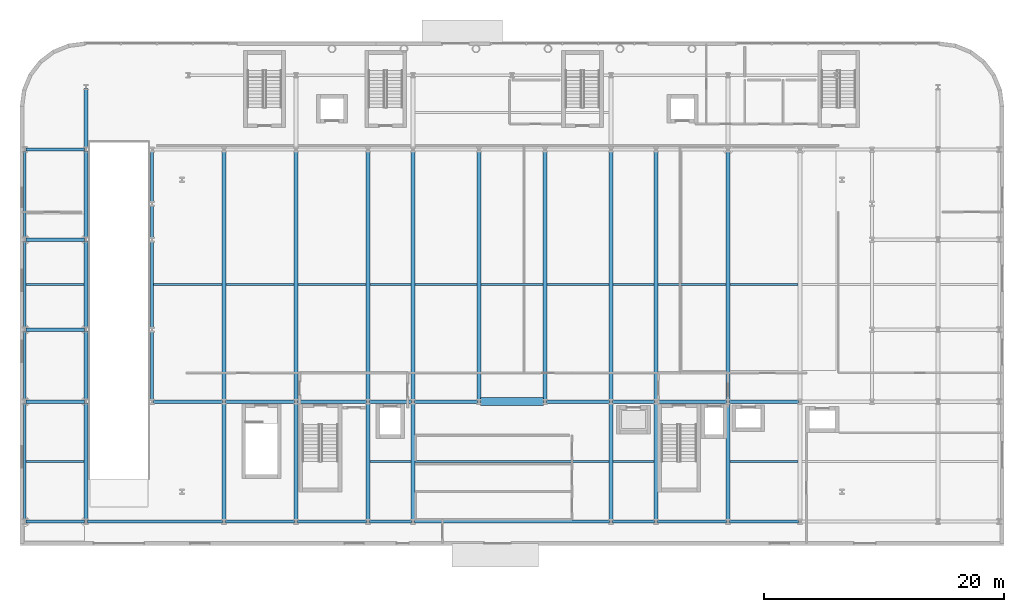
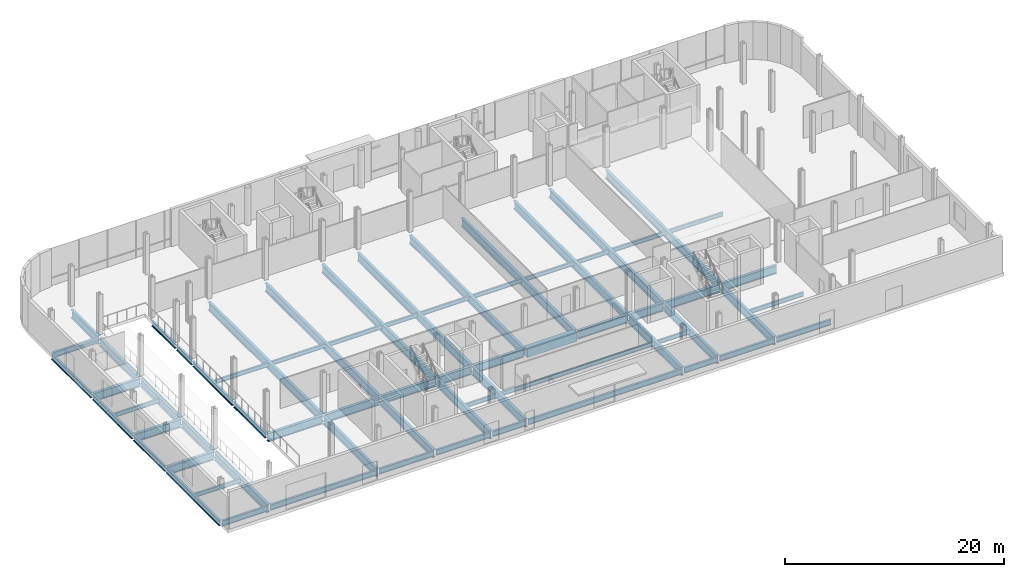
# One storey, part 3 of 28: 68 beams.
"""IFC4 building model written with IfcOpenShell, lengths in metres."""

from ifc_helpers import new_model, si_unit, direction, frame, origin, origin_2d, place, context, subcontext, project, spatial, rectangle, i_section, extrude, material, material_profile, profile_set, type_object, element, save


model = new_model("IFC4")

# Units and contexts
model_context = context("Model", 3, precision=1e-05, world=origin(), true_north=direction((0.0, 1.0)))
body_context = subcontext(model_context, "Body", "Model", "MODEL_VIEW")
ifc_project = project(units=[si_unit("LENGTHUNIT", "METRE"), si_unit("AREAUNIT", "SQUARE_METRE"), si_unit("VOLUMEUNIT", "CUBIC_METRE"), si_unit("PLANEANGLEUNIT", "RADIAN"), si_unit("MASSUNIT", "GRAM", prefix="KILO")], contexts=[model_context])

# Site, building, storey
site_placement = place(None, origin())
site = spatial("IfcSite", under=ifc_project, at=site_placement, CompositionType="ELEMENT")
building_placement = place(site_placement, origin())
building = spatial("IfcBuilding", under=site, at=building_placement, Name="Brevholm Reach", CompositionType="ELEMENT")
storey_placement = place(building_placement, origin())
storey = spatial("IfcBuildingStorey", under=building, at=storey_placement, Name="L00", CompositionType="ELEMENT", Elevation=0.0)

# Beams
ifc_material_1 = material(Name="Structural Steel S355J2", Category="steel")
ifc_material_profile_1 = material_profile(ifc_material_1, i_section(OverallWidth=0.1904296875, OverallDepth=0.45703125, WebThickness=0.009033203125, FlangeThickness=0.014404296875, FilletRadius=0.01025390625, at=origin_2d()), Name="UKB 457x191x74")
ifc_profile_set_1 = profile_set([ifc_material_profile_1], Name="Structural Steel S355J2")
beam_type_1 = type_object("IfcBeamType", Name="BM-B457", PredefinedType="BEAM", material=ifc_profile_set_1)
beam_1_placement = place(storey_placement, frame((-10.485595703125, 5.0, -0.568603515625), z_axis=(1.0, 0.0, 0.0), x_axis=(0.0, 1.0, 0.0)))
element("IfcBeam", 1, at=beam_1_placement, inside=storey, type_object=beam_type_1, Name="L00 Composite Secondary Floor Beam", PredefinedType="BEAM", context=body_context, shape_type="SweptSolid", body=[
    extrude(i_section(OverallWidth=0.1904296875, OverallDepth=0.45703125, WebThickness=0.009033203125, FlangeThickness=0.014404296875, FilletRadius=0.01025390625, at=origin_2d()), origin(), (0.0, 0.0, 1.0), 4.831787109375),
])
beam_2_placement = place(storey_placement, frame((18.15380859375, 5.0, -0.568603515625), z_axis=(1.0, 0.0, 0.0), x_axis=(0.0, 1.0, 0.0)))
element("IfcBeam", 2, at=beam_2_placement, inside=storey, type_object=beam_type_1, Name="L00 Composite Secondary Floor Beam", PredefinedType="BEAM", context=body_context, shape_type="SweptSolid", body=[
    extrude(i_section(OverallWidth=0.1904296875, OverallDepth=0.45703125, WebThickness=0.009033203125, FlangeThickness=0.014404296875, FilletRadius=0.01025390625, at=origin_2d()), origin(), (0.0, 0.0, 1.0), 3.4423828125),
])
beam_3_placement = place(storey_placement, frame((21.90380859375, 5.0, -0.568603515625), z_axis=(1.0, 0.0, 0.0), x_axis=(0.0, 1.0, 0.0)))
element("IfcBeam", 3, at=beam_3_placement, inside=storey, type_object=beam_type_1, Name="L00 Composite Secondary Floor Beam", PredefinedType="BEAM", context=body_context, shape_type="SweptSolid", body=[
    extrude(i_section(OverallWidth=0.1904296875, OverallDepth=0.45703125, WebThickness=0.009033203125, FlangeThickness=0.014404296875, FilletRadius=0.01025390625, at=origin_2d()), origin(), (0.0, 0.0, 1.0), 16.1923828125),
])
beam_4_placement = place(storey_placement, frame((38.40380859375, 5.0, -0.568603515625), z_axis=(1.0, 0.0, 0.0), x_axis=(0.0, 1.0, 0.0)))
element("IfcBeam", 4, at=beam_4_placement, inside=storey, type_object=beam_type_1, Name="L00 Composite Secondary Floor Beam", PredefinedType="BEAM", context=body_context, shape_type="SweptSolid", body=[
    extrude(i_section(OverallWidth=0.1904296875, OverallDepth=0.45703125, WebThickness=0.009033203125, FlangeThickness=0.014404296875, FilletRadius=0.01025390625, at=origin_2d()), origin(), (0.0, 0.0, 1.0), 3.4423828125),
])
beam_5_placement = place(storey_placement, frame((48.15380859375, 5.0, -0.568603515625), z_axis=(1.0, 0.0, 0.0), x_axis=(0.0, 1.0, 0.0)))
element("IfcBeam", 5, at=beam_5_placement, inside=storey, type_object=beam_type_1, Name="L00 Composite Secondary Floor Beam", PredefinedType="BEAM", context=body_context, shape_type="SweptSolid", body=[
    extrude(i_section(OverallWidth=0.1904296875, OverallDepth=0.45703125, WebThickness=0.009033203125, FlangeThickness=0.014404296875, FilletRadius=0.01025390625, at=origin_2d()), origin(), (0.0, 0.0, 1.0), 5.6923828125),
])
beam_6_placement = place(storey_placement, frame((-10.485595703125, 19.75, -0.568603515625), z_axis=(1.0, 0.0, 0.0), x_axis=(0.0, 1.0, 0.0)))
element("IfcBeam", 6, at=beam_6_placement, inside=storey, type_object=beam_type_1, Name="L00 Composite Secondary Floor Beam", PredefinedType="BEAM", context=body_context, shape_type="SweptSolid", body=[
    extrude(i_section(OverallWidth=0.1904296875, OverallDepth=0.45703125, WebThickness=0.009033203125, FlangeThickness=0.014404296875, FilletRadius=0.01025390625, at=origin_2d()), origin(), (0.0, 0.0, 1.0), 4.831787109375),
])
beam_7_placement = place(storey_placement, frame((0.114501953125, 19.75, -0.568603515625), z_axis=(1.0, 0.0, 0.0), x_axis=(0.0, 1.0, 0.0)))
element("IfcBeam", 7, at=beam_7_placement, inside=storey, type_object=beam_type_1, Name="L00 Composite Secondary Floor Beam", PredefinedType="BEAM", context=body_context, shape_type="SweptSolid", body=[
    extrude(i_section(OverallWidth=0.1904296875, OverallDepth=0.45703125, WebThickness=0.009033203125, FlangeThickness=0.014404296875, FilletRadius=0.01025390625, at=origin_2d()), origin(), (0.0, 0.0, 1.0), 5.731689453125),
])
for number, where, z_axis, x_axis, name in (
    (8, (6.15380859375, 19.75, -0.568603515625), (1.0, 0.0, 0.0), (0.0, 1.0, 0.0), "L00 Composite Secondary Floor Beam"),
    (9, (12.15380859375, 19.75, -0.568603515625), (1.0, 0.0, 0.0), (0.0, 1.0, 0.0), "L00 Composite Secondary Floor Beam"),
):
    element("IfcBeam", number, at=place(storey_placement, frame(where, z_axis=z_axis, x_axis=x_axis)), inside=storey, type_object=beam_type_1, Name=name, PredefinedType="BEAM", context=body_context, shape_type="SweptSolid", body=[
        extrude(i_section(OverallWidth=0.1904296875, OverallDepth=0.45703125, WebThickness=0.009033203125, FlangeThickness=0.014404296875, FilletRadius=0.01025390625, at=origin_2d()), origin(), (0.0, 0.0, 1.0), 5.6923828125),
    ])
beam_8_placement = place(storey_placement, frame((18.15380859375, 19.75, -0.568603515625), z_axis=(1.0, 0.0, 0.0), x_axis=(0.0, 1.0, 0.0)))
element("IfcBeam", 10, at=beam_8_placement, inside=storey, type_object=beam_type_1, Name="L00 Composite Secondary Floor Beam", PredefinedType="BEAM", context=body_context, shape_type="SweptSolid", body=[
    extrude(i_section(OverallWidth=0.1904296875, OverallDepth=0.45703125, WebThickness=0.009033203125, FlangeThickness=0.014404296875, FilletRadius=0.01025390625, at=origin_2d()), origin(), (0.0, 0.0, 1.0), 3.4423828125),
])
for number, where, z_axis, x_axis, name in (
    (11, (21.90380859375, 19.75, -0.568603515625), (1.0, 0.0, 0.0), (0.0, 1.0, 0.0), "L00 Composite Secondary Floor Beam"),
    (12, (27.40380859375, 19.75, -0.568603515625), (1.0, 0.0, 0.0), (0.0, 1.0, 0.0), "L00 Composite Secondary Floor Beam"),
    (13, (32.90380859375, 19.75, -0.568603515625), (1.0, 0.0, 0.0), (0.0, 1.0, 0.0), "L00 Composite Secondary Floor Beam"),
):
    element("IfcBeam", number, at=place(storey_placement, frame(where, z_axis=z_axis, x_axis=x_axis)), inside=storey, type_object=beam_type_1, Name=name, PredefinedType="BEAM", context=body_context, shape_type="SweptSolid", body=[
        extrude(i_section(OverallWidth=0.1904296875, OverallDepth=0.45703125, WebThickness=0.009033203125, FlangeThickness=0.014404296875, FilletRadius=0.01025390625, at=origin_2d()), origin(), (0.0, 0.0, 1.0), 5.1923828125),
    ])
beam_9_placement = place(storey_placement, frame((38.40380859375, 19.75, -0.568603515625), z_axis=(1.0, 0.0, 0.0), x_axis=(0.0, 1.0, 0.0)))
element("IfcBeam", 14, at=beam_9_placement, inside=storey, type_object=beam_type_1, Name="L00 Composite Secondary Floor Beam", PredefinedType="BEAM", context=body_context, shape_type="SweptSolid", body=[
    extrude(i_section(OverallWidth=0.1904296875, OverallDepth=0.45703125, WebThickness=0.009033203125, FlangeThickness=0.014404296875, FilletRadius=0.01025390625, at=origin_2d()), origin(), (0.0, 0.0, 1.0), 3.4423828125),
])
for number, where, z_axis, x_axis, name in (
    (15, (42.15380859375, 19.75, -0.568603515625), (1.0, 0.0, 0.0), (0.0, 1.0, 0.0), "L00 Composite Secondary Floor Beam"),
    (16, (48.15380859375, 19.75, -0.568603515625), (1.0, 0.0, 0.0), (0.0, 1.0, 0.0), "L00 Composite Secondary Floor Beam"),
):
    element("IfcBeam", number, at=place(storey_placement, frame(where, z_axis=z_axis, x_axis=x_axis)), inside=storey, type_object=beam_type_1, Name=name, PredefinedType="BEAM", context=body_context, shape_type="SweptSolid", body=[
        extrude(i_section(OverallWidth=0.1904296875, OverallDepth=0.45703125, WebThickness=0.009033203125, FlangeThickness=0.014404296875, FilletRadius=0.01025390625, at=origin_2d()), origin(), (0.0, 0.0, 1.0), 5.6923828125),
    ])
ifc_material_2 = material(Name="Concrete C60/75", Category="concrete")
ifc_material_profile_2 = material_profile(ifc_material_2, rectangle(XDim=0.64990234375, YDim=0.949951171875, at=origin_2d()), Name="RC 650x950")
ifc_profile_set_2 = profile_set([ifc_material_profile_2], Name="Concrete C60/75")
beam_type_2 = type_object("IfcBeamType", Name="BM-CB650", PredefinedType="LINTEL", material=ifc_profile_set_2)
beam_10_placement = place(storey_placement, frame((27.3701171875, 10.0, -0.81494140625), z_axis=(1.0, 0.0, 0.0), x_axis=(0.0, 1.0, 0.0)))
element("IfcBeam", 17, at=beam_10_placement, inside=storey, type_object=beam_type_2, Name="L00 CB-01 Framing Beam", PredefinedType="LINTEL", context=body_context, shape_type="SweptSolid", body=[
    extrude(rectangle(XDim=0.64990234375, YDim=0.949951171875, at=origin_2d()), origin(), (0.0, 0.0, 1.0), 5.259765625),
])
ifc_material_3 = material(Name="Structural Steel S355J2", Category="steel")
ifc_material_profile_3 = material_profile(ifc_material_3, i_section(OverallWidth=0.22900390625, OverallDepth=0.6123046875, WebThickness=0.011962890625, FlangeThickness=0.01953125, FilletRadius=0.0126953125, at=origin_2d()), Name="UKB 610x229x125")
ifc_profile_set_3 = profile_set([ifc_material_profile_3], Name="Structural Steel S355J2")
beam_type_3 = type_object("IfcBeamType", Name="BM-SP610", PredefinedType="SPANDREL", material=ifc_profile_set_3)
beam_11_placement = place(storey_placement, frame((-10.47998046875, 0.0, -0.64599609375), z_axis=(1.0, 0.0, 0.0), x_axis=(0.0, 1.0, 0.0)))
element("IfcBeam", 18, at=beam_11_placement, inside=storey, type_object=beam_type_3, Name="L00 SP-01 Framing Beam", PredefinedType="SPANDREL", context=body_context, shape_type="SweptSolid", body=[
    extrude(i_section(OverallWidth=0.22900390625, OverallDepth=0.6123046875, WebThickness=0.011962890625, FlangeThickness=0.01953125, FilletRadius=0.0126953125, at=origin_2d()), origin(), (0.0, 0.0, 1.0), 4.85986328125),
])
beam_12_placement = place(storey_placement, frame((-5.3798828125, 0.0, -0.64599609375), z_axis=(1.0, 0.0, 0.0), x_axis=(0.0, 1.0, 0.0)))
element("IfcBeam", 19, at=beam_12_placement, inside=storey, type_object=beam_type_3, Name="L00 SP-01 Framing Beam", PredefinedType="SPANDREL", context=body_context, shape_type="SweptSolid", body=[
    extrude(i_section(OverallWidth=0.22900390625, OverallDepth=0.6123046875, WebThickness=0.011962890625, FlangeThickness=0.01953125, FilletRadius=0.0126953125, at=origin_2d()), origin(), (0.0, 0.0, 1.0), 11.259765625),
])
for number, where, z_axis, x_axis, name in (
    (20, (6.1201171875, 0.0, -0.64599609375), (1.0, 0.0, 0.0), (0.0, 1.0, 0.0), "L00 SP-01 Framing Beam"),
    (21, (12.1201171875, 0.0, -0.64599609375), (1.0, 0.0, 0.0), (0.0, 1.0, 0.0), "L00 SP-01 Framing Beam"),
):
    element("IfcBeam", number, at=place(storey_placement, frame(where, z_axis=z_axis, x_axis=x_axis)), inside=storey, type_object=beam_type_3, Name=name, PredefinedType="SPANDREL", context=body_context, shape_type="SweptSolid", body=[
        extrude(i_section(OverallWidth=0.22900390625, OverallDepth=0.6123046875, WebThickness=0.011962890625, FlangeThickness=0.01953125, FilletRadius=0.0126953125, at=origin_2d()), origin(), (0.0, 0.0, 1.0), 5.759765625),
    ])
beam_13_placement = place(storey_placement, frame((18.1201171875, 0.0, -0.64599609375), z_axis=(1.0, 0.0, 0.0), x_axis=(0.0, 1.0, 0.0)))
element("IfcBeam", 22, at=beam_13_placement, inside=storey, type_object=beam_type_3, Name="L00 SP-01 Framing Beam", PredefinedType="SPANDREL", context=body_context, shape_type="SweptSolid", body=[
    extrude(i_section(OverallWidth=0.22900390625, OverallDepth=0.6123046875, WebThickness=0.011962890625, FlangeThickness=0.01953125, FilletRadius=0.0126953125, at=origin_2d()), origin(), (0.0, 0.0, 1.0), 3.509765625),
])
beam_14_placement = place(storey_placement, frame((21.8701171875, 0.0, -0.64599609375), z_axis=(1.0, 0.0, 0.0), x_axis=(0.0, 1.0, 0.0)))
element("IfcBeam", 23, at=beam_14_placement, inside=storey, type_object=beam_type_3, Name="L00 SP-01 Framing Beam", PredefinedType="SPANDREL", context=body_context, shape_type="SweptSolid", body=[
    extrude(i_section(OverallWidth=0.22900390625, OverallDepth=0.6123046875, WebThickness=0.011962890625, FlangeThickness=0.01953125, FilletRadius=0.0126953125, at=origin_2d()), origin(), (0.0, 0.0, 1.0), 16.259765625),
])
beam_15_placement = place(storey_placement, frame((38.3701171875, 0.0, -0.64599609375), z_axis=(1.0, 0.0, 0.0), x_axis=(0.0, 1.0, 0.0)))
element("IfcBeam", 24, at=beam_15_placement, inside=storey, type_object=beam_type_3, Name="L00 SP-01 Framing Beam", PredefinedType="SPANDREL", context=body_context, shape_type="SweptSolid", body=[
    extrude(i_section(OverallWidth=0.22900390625, OverallDepth=0.6123046875, WebThickness=0.011962890625, FlangeThickness=0.01953125, FilletRadius=0.0126953125, at=origin_2d()), origin(), (0.0, 0.0, 1.0), 3.509765625),
])
for number, where, z_axis, x_axis, name in (
    (25, (42.1201171875, 0.0, -0.64599609375), (1.0, 0.0, 0.0), (0.0, 1.0, 0.0), "L00 SP-01 Framing Beam"),
    (26, (48.1201171875, 0.0, -0.64599609375), (1.0, 0.0, 0.0), (0.0, 1.0, 0.0), "L00 SP-01 Framing Beam"),
):
    element("IfcBeam", number, at=place(storey_placement, frame(where, z_axis=z_axis, x_axis=x_axis)), inside=storey, type_object=beam_type_3, Name=name, PredefinedType="SPANDREL", context=body_context, shape_type="SweptSolid", body=[
        extrude(i_section(OverallWidth=0.22900390625, OverallDepth=0.6123046875, WebThickness=0.011962890625, FlangeThickness=0.01953125, FilletRadius=0.0126953125, at=origin_2d()), origin(), (0.0, 0.0, 1.0), 5.759765625),
    ])
beam_16_placement = place(storey_placement, frame((-10.47998046875, 31.0, -0.64599609375), z_axis=(1.0, 0.0, 0.0), x_axis=(0.0, 1.0, 0.0)))
element("IfcBeam", 27, at=beam_16_placement, inside=storey, type_object=beam_type_3, Name="L00 SP-01 Framing Beam", PredefinedType="SPANDREL", context=body_context, shape_type="SweptSolid", body=[
    extrude(i_section(OverallWidth=0.22900390625, OverallDepth=0.6123046875, WebThickness=0.011962890625, FlangeThickness=0.01953125, FilletRadius=0.0126953125, at=origin_2d()), origin(), (0.0, 0.0, 1.0), 4.85986328125),
])
beam_17_placement = place(storey_placement, frame((-10.60009765625, 0.1201171875, -0.64599609375), z_axis=(0.0, 1.0, 0.0), x_axis=(-1.0, 0.0, 0.0)))
element("IfcBeam", 28, at=beam_17_placement, inside=storey, type_object=beam_type_3, Name="L00 SP-01 Framing Beam", PredefinedType="SPANDREL", context=body_context, shape_type="SweptSolid", body=[
    extrude(i_section(OverallWidth=0.22900390625, OverallDepth=0.6123046875, WebThickness=0.011962890625, FlangeThickness=0.01953125, FilletRadius=0.0126953125, at=origin_2d()), origin(), (0.0, 0.0, 1.0), 9.759765625),
])
beam_18_placement = place(storey_placement, frame((-10.60009765625, 10.1201171875, -0.64599609375), z_axis=(0.0, 1.0, 0.0), x_axis=(-1.0, 0.0, 0.0)))
element("IfcBeam", 29, at=beam_18_placement, inside=storey, type_object=beam_type_3, Name="L00 SP-01 Framing Beam", PredefinedType="SPANDREL", context=body_context, shape_type="SweptSolid", body=[
    extrude(i_section(OverallWidth=0.22900390625, OverallDepth=0.6123046875, WebThickness=0.011962890625, FlangeThickness=0.01953125, FilletRadius=0.0126953125, at=origin_2d()), origin(), (0.0, 0.0, 1.0), 5.759765625),
])
for number, where, z_axis, x_axis, name in (
    (30, (-10.60009765625, 16.1201171875, -0.64599609375), (0.0, 1.0, 0.0), (-1.0, 0.0, 0.0), "L00 SP-01 Framing Beam"),
    (31, (-10.60009765625, 23.6201171875, -0.64599609375), (0.0, 1.0, 0.0), (-1.0, 0.0, 0.0), "L00 SP-01 Framing Beam"),
):
    element("IfcBeam", number, at=place(storey_placement, frame(where, z_axis=z_axis, x_axis=x_axis)), inside=storey, type_object=beam_type_3, Name=name, PredefinedType="SPANDREL", context=body_context, shape_type="SweptSolid", body=[
        extrude(i_section(OverallWidth=0.22900390625, OverallDepth=0.6123046875, WebThickness=0.011962890625, FlangeThickness=0.01953125, FilletRadius=0.0126953125, at=origin_2d()), origin(), (0.0, 0.0, 1.0), 7.259765625),
    ])
beam_19_placement = place(storey_placement, frame((0.0, 10.1201171875, -0.64599609375), z_axis=(0.0, 1.0, 0.0), x_axis=(-1.0, 0.0, 0.0)))
element("IfcBeam", 32, at=beam_19_placement, inside=storey, type_object=beam_type_3, Name="L00 SP-01 Framing Beam", PredefinedType="SPANDREL", context=body_context, shape_type="SweptSolid", body=[
    extrude(i_section(OverallWidth=0.22900390625, OverallDepth=0.6123046875, WebThickness=0.011962890625, FlangeThickness=0.01953125, FilletRadius=0.0126953125, at=origin_2d()), origin(), (0.0, 0.0, 1.0), 5.759765625),
])
beam_20_placement = place(storey_placement, frame((0.0, 16.1201171875, -0.64599609375), z_axis=(0.0, 1.0, 0.0), x_axis=(-1.0, 0.0, 0.0)))
element("IfcBeam", 33, at=beam_20_placement, inside=storey, type_object=beam_type_3, Name="L00 SP-01 Framing Beam", PredefinedType="SPANDREL", context=body_context, shape_type="SweptSolid", body=[
    extrude(i_section(OverallWidth=0.22900390625, OverallDepth=0.6123046875, WebThickness=0.011962890625, FlangeThickness=0.01953125, FilletRadius=0.0126953125, at=origin_2d()), origin(), (0.0, 0.0, 1.0), 7.259765625),
])
beam_21_placement = place(storey_placement, frame((0.0, 23.6201171875, -0.64599609375), z_axis=(0.0, 1.0, 0.0), x_axis=(-1.0, 0.0, 0.0)))
element("IfcBeam", 34, at=beam_21_placement, inside=storey, type_object=beam_type_3, Name="L00 SP-01 Framing Beam", PredefinedType="SPANDREL", context=body_context, shape_type="SweptSolid", body=[
    extrude(i_section(OverallWidth=0.22900390625, OverallDepth=0.6123046875, WebThickness=0.011962890625, FlangeThickness=0.01953125, FilletRadius=0.0126953125, at=origin_2d()), origin(), (0.0, 0.0, 1.0), 2.759765625),
])
beam_22_placement = place(storey_placement, frame((0.0, 26.6201171875, -0.64599609375), z_axis=(0.0, 1.0, 0.0), x_axis=(-1.0, 0.0, 0.0)))
element("IfcBeam", 35, at=beam_22_placement, inside=storey, type_object=beam_type_3, Name="L00 SP-01 Framing Beam", PredefinedType="SPANDREL", context=body_context, shape_type="SweptSolid", body=[
    extrude(i_section(OverallWidth=0.22900390625, OverallDepth=0.6123046875, WebThickness=0.011962890625, FlangeThickness=0.01953125, FilletRadius=0.0126953125, at=origin_2d()), origin(), (0.0, 0.0, 1.0), 4.259765625),
])
ifc_material_4 = material(Name="Structural Steel S460ML", Category="steel")
ifc_material_profile_4 = material_profile(ifc_material_4, i_section(OverallWidth=0.3076171875, OverallDepth=0.926513671875, WebThickness=0.01953125, FlangeThickness=0.031982421875, FilletRadius=0.01904296875, at=origin_2d()), Name="UKB 914x305x289")
ifc_profile_set_4 = profile_set([ifc_material_profile_4], Name="Structural Steel S460ML")
beam_type_4 = type_object("IfcBeamType", Name="BM-UKB914B", PredefinedType="USERDEFINED", material=ifc_profile_set_4)
beam_23_placement = place(storey_placement, frame((-10.47998046875, 10.0, -0.80322265625), z_axis=(1.0, 0.0, 0.0), x_axis=(0.0, 1.0, 0.0)))
element("IfcBeam", 36, at=beam_23_placement, inside=storey, type_object=beam_type_4, Name="L00 G-02B Framing Beam", ObjectType="GIRDER", PredefinedType="USERDEFINED", context=body_context, shape_type="SweptSolid", body=[
    extrude(i_section(OverallWidth=0.3076171875, OverallDepth=0.926513671875, WebThickness=0.01953125, FlangeThickness=0.031982421875, FilletRadius=0.01904296875, at=origin_2d()), origin(), (0.0, 0.0, 1.0), 4.85986328125),
])
for number, where, z_axis, x_axis, name in (
    (37, (0.1201171875, 10.0, -0.80322265625), (1.0, 0.0, 0.0), (0.0, 1.0, 0.0), "L00 G-02B Framing Beam"),
    (38, (6.1201171875, 10.0, -0.80322265625), (1.0, 0.0, 0.0), (0.0, 1.0, 0.0), "L00 G-02B Framing Beam"),
    (39, (12.1201171875, 10.0, -0.80322265625), (1.0, 0.0, 0.0), (0.0, 1.0, 0.0), "L00 G-02B Framing Beam"),
):
    element("IfcBeam", number, at=place(storey_placement, frame(where, z_axis=z_axis, x_axis=x_axis)), inside=storey, type_object=beam_type_4, Name=name, ObjectType="GIRDER", PredefinedType="USERDEFINED", context=body_context, shape_type="SweptSolid", body=[
        extrude(i_section(OverallWidth=0.3076171875, OverallDepth=0.926513671875, WebThickness=0.01953125, FlangeThickness=0.031982421875, FilletRadius=0.01904296875, at=origin_2d()), origin(), (0.0, 0.0, 1.0), 5.759765625),
    ])
beam_24_placement = place(storey_placement, frame((18.1201171875, 10.0, -0.80322265625), z_axis=(1.0, 0.0, 0.0), x_axis=(0.0, 1.0, 0.0)))
element("IfcBeam", 40, at=beam_24_placement, inside=storey, type_object=beam_type_4, Name="L00 G-02B Framing Beam", ObjectType="GIRDER", PredefinedType="USERDEFINED", context=body_context, shape_type="SweptSolid", body=[
    extrude(i_section(OverallWidth=0.3076171875, OverallDepth=0.926513671875, WebThickness=0.01953125, FlangeThickness=0.031982421875, FilletRadius=0.01904296875, at=origin_2d()), origin(), (0.0, 0.0, 1.0), 3.509765625),
])
for number, where, z_axis, x_axis, name in (
    (41, (21.8701171875, 10.0, -0.80322265625), (1.0, 0.0, 0.0), (0.0, 1.0, 0.0), "L00 G-02B Framing Beam"),
    (42, (32.8701171875, 10.0, -0.80322265625), (1.0, 0.0, 0.0), (0.0, 1.0, 0.0), "L00 G-02B Framing Beam"),
):
    element("IfcBeam", number, at=place(storey_placement, frame(where, z_axis=z_axis, x_axis=x_axis)), inside=storey, type_object=beam_type_4, Name=name, ObjectType="GIRDER", PredefinedType="USERDEFINED", context=body_context, shape_type="SweptSolid", body=[
        extrude(i_section(OverallWidth=0.3076171875, OverallDepth=0.926513671875, WebThickness=0.01953125, FlangeThickness=0.031982421875, FilletRadius=0.01904296875, at=origin_2d()), origin(), (0.0, 0.0, 1.0), 5.259765625),
    ])
beam_25_placement = place(storey_placement, frame((38.3701171875, 10.0, -0.80322265625), z_axis=(1.0, 0.0, 0.0), x_axis=(0.0, 1.0, 0.0)))
element("IfcBeam", 43, at=beam_25_placement, inside=storey, type_object=beam_type_4, Name="L00 G-02B Framing Beam", ObjectType="GIRDER", PredefinedType="USERDEFINED", context=body_context, shape_type="SweptSolid", body=[
    extrude(i_section(OverallWidth=0.3076171875, OverallDepth=0.926513671875, WebThickness=0.01953125, FlangeThickness=0.031982421875, FilletRadius=0.01904296875, at=origin_2d()), origin(), (0.0, 0.0, 1.0), 3.509765625),
])
for number, where, z_axis, x_axis, name in (
    (44, (42.1201171875, 10.0, -0.80322265625), (1.0, 0.0, 0.0), (0.0, 1.0, 0.0), "L00 G-02B Framing Beam"),
    (45, (48.1201171875, 10.0, -0.80322265625), (1.0, 0.0, 0.0), (0.0, 1.0, 0.0), "L00 G-02B Framing Beam"),
):
    element("IfcBeam", number, at=place(storey_placement, frame(where, z_axis=z_axis, x_axis=x_axis)), inside=storey, type_object=beam_type_4, Name=name, ObjectType="GIRDER", PredefinedType="USERDEFINED", context=body_context, shape_type="SweptSolid", body=[
        extrude(i_section(OverallWidth=0.3076171875, OverallDepth=0.926513671875, WebThickness=0.01953125, FlangeThickness=0.031982421875, FilletRadius=0.01904296875, at=origin_2d()), origin(), (0.0, 0.0, 1.0), 5.759765625),
    ])
for number, where, z_axis, x_axis, name in (
    (46, (-10.47998046875, 16.0, -0.80322265625), (1.0, 0.0, 0.0), (0.0, 1.0, 0.0), "L00 G-02B Framing Beam"),
    (47, (-10.47998046875, 23.5, -0.80322265625), (1.0, 0.0, 0.0), (0.0, 1.0, 0.0), "L00 G-02B Framing Beam"),
):
    element("IfcBeam", number, at=place(storey_placement, frame(where, z_axis=z_axis, x_axis=x_axis)), inside=storey, type_object=beam_type_4, Name=name, ObjectType="GIRDER", PredefinedType="USERDEFINED", context=body_context, shape_type="SweptSolid", body=[
        extrude(i_section(OverallWidth=0.3076171875, OverallDepth=0.926513671875, WebThickness=0.01953125, FlangeThickness=0.031982421875, FilletRadius=0.01904296875, at=origin_2d()), origin(), (0.0, 0.0, 1.0), 4.85986328125),
    ])
beam_26_placement = place(storey_placement, frame((-5.5, 0.1201171875, -0.80322265625), z_axis=(0.0, 1.0, 0.0), x_axis=(-1.0, 0.0, 0.0)))
element("IfcBeam", 48, at=beam_26_placement, inside=storey, type_object=beam_type_4, Name="L00 G-02B Framing Beam", ObjectType="GIRDER", PredefinedType="USERDEFINED", context=body_context, shape_type="SweptSolid", body=[
    extrude(i_section(OverallWidth=0.3076171875, OverallDepth=0.926513671875, WebThickness=0.01953125, FlangeThickness=0.031982421875, FilletRadius=0.01904296875, at=origin_2d()), origin(), (0.0, 0.0, 1.0), 9.759765625),
])
beam_27_placement = place(storey_placement, frame((-5.5, 10.1201171875, -0.80322265625), z_axis=(0.0, 1.0, 0.0), x_axis=(-1.0, 0.0, 0.0)))
element("IfcBeam", 49, at=beam_27_placement, inside=storey, type_object=beam_type_4, Name="L00 G-02B Framing Beam", ObjectType="GIRDER", PredefinedType="USERDEFINED", context=body_context, shape_type="SweptSolid", body=[
    extrude(i_section(OverallWidth=0.3076171875, OverallDepth=0.926513671875, WebThickness=0.01953125, FlangeThickness=0.031982421875, FilletRadius=0.01904296875, at=origin_2d()), origin(), (0.0, 0.0, 1.0), 5.759765625),
])
for number, where, z_axis, x_axis, name in (
    (50, (-5.5, 16.1201171875, -0.80322265625), (0.0, 1.0, 0.0), (-1.0, 0.0, 0.0), "L00 G-02B Framing Beam"),
    (51, (-5.5, 23.6201171875, -0.80322265625), (0.0, 1.0, 0.0), (-1.0, 0.0, 0.0), "L00 G-02B Framing Beam"),
):
    element("IfcBeam", number, at=place(storey_placement, frame(where, z_axis=z_axis, x_axis=x_axis)), inside=storey, type_object=beam_type_4, Name=name, ObjectType="GIRDER", PredefinedType="USERDEFINED", context=body_context, shape_type="SweptSolid", body=[
        extrude(i_section(OverallWidth=0.3076171875, OverallDepth=0.926513671875, WebThickness=0.01953125, FlangeThickness=0.031982421875, FilletRadius=0.01904296875, at=origin_2d()), origin(), (0.0, 0.0, 1.0), 7.259765625),
    ])
beam_28_placement = place(storey_placement, frame((-5.5, 31.1201171875, -0.80322265625), z_axis=(0.0, 1.0, 0.0), x_axis=(-1.0, 0.0, 0.0)))
element("IfcBeam", 52, at=beam_28_placement, inside=storey, type_object=beam_type_4, Name="L00 G-02B Framing Beam", ObjectType="GIRDER", PredefinedType="USERDEFINED", context=body_context, shape_type="SweptSolid", body=[
    extrude(i_section(OverallWidth=0.3076171875, OverallDepth=0.926513671875, WebThickness=0.01953125, FlangeThickness=0.031982421875, FilletRadius=0.01904296875, at=origin_2d()), origin(), (0.0, 0.0, 1.0), 4.9599609375),
])
beam_29_placement = place(storey_placement, frame((6.0, 0.1201171875, -0.80322265625), z_axis=(0.0, 1.0, 0.0), x_axis=(-1.0, 0.0, 0.0)))
element("IfcBeam", 53, at=beam_29_placement, inside=storey, type_object=beam_type_4, Name="L00 G-02B Framing Beam", ObjectType="GIRDER", PredefinedType="USERDEFINED", context=body_context, shape_type="SweptSolid", body=[
    extrude(i_section(OverallWidth=0.3076171875, OverallDepth=0.926513671875, WebThickness=0.01953125, FlangeThickness=0.031982421875, FilletRadius=0.01904296875, at=origin_2d()), origin(), (0.0, 0.0, 1.0), 9.759765625),
])
beam_30_placement = place(storey_placement, frame((6.0, 10.1201171875, -0.80322265625), z_axis=(0.0, 1.0, 0.0), x_axis=(-1.0, 0.0, 0.0)))
element("IfcBeam", 54, at=beam_30_placement, inside=storey, type_object=beam_type_4, Name="L00 G-02B Framing Beam", ObjectType="GIRDER", PredefinedType="USERDEFINED", context=body_context, shape_type="SweptSolid", body=[
    extrude(i_section(OverallWidth=0.3076171875, OverallDepth=0.926513671875, WebThickness=0.01953125, FlangeThickness=0.031982421875, FilletRadius=0.01904296875, at=origin_2d()), origin(), (0.0, 0.0, 1.0), 20.759765625),
])
beam_31_placement = place(storey_placement, frame((12.0, 0.1201171875, -0.80322265625), z_axis=(0.0, 1.0, 0.0), x_axis=(-1.0, 0.0, 0.0)))
element("IfcBeam", 55, at=beam_31_placement, inside=storey, type_object=beam_type_4, Name="L00 G-02B Framing Beam", ObjectType="GIRDER", PredefinedType="USERDEFINED", context=body_context, shape_type="SweptSolid", body=[
    extrude(i_section(OverallWidth=0.3076171875, OverallDepth=0.926513671875, WebThickness=0.01953125, FlangeThickness=0.031982421875, FilletRadius=0.01904296875, at=origin_2d()), origin(), (0.0, 0.0, 1.0), 9.759765625),
])
beam_32_placement = place(storey_placement, frame((12.0, 10.1201171875, -0.80322265625), z_axis=(0.0, 1.0, 0.0), x_axis=(-1.0, 0.0, 0.0)))
element("IfcBeam", 56, at=beam_32_placement, inside=storey, type_object=beam_type_4, Name="L00 G-02B Framing Beam", ObjectType="GIRDER", PredefinedType="USERDEFINED", context=body_context, shape_type="SweptSolid", body=[
    extrude(i_section(OverallWidth=0.3076171875, OverallDepth=0.926513671875, WebThickness=0.01953125, FlangeThickness=0.031982421875, FilletRadius=0.01904296875, at=origin_2d()), origin(), (0.0, 0.0, 1.0), 20.759765625),
])
beam_33_placement = place(storey_placement, frame((18.0, 0.1201171875, -0.80322265625), z_axis=(0.0, 1.0, 0.0), x_axis=(-1.0, 0.0, 0.0)))
element("IfcBeam", 57, at=beam_33_placement, inside=storey, type_object=beam_type_4, Name="L00 G-02B Framing Beam", ObjectType="GIRDER", PredefinedType="USERDEFINED", context=body_context, shape_type="SweptSolid", body=[
    extrude(i_section(OverallWidth=0.3076171875, OverallDepth=0.926513671875, WebThickness=0.01953125, FlangeThickness=0.031982421875, FilletRadius=0.01904296875, at=origin_2d()), origin(), (0.0, 0.0, 1.0), 9.759765625),
])
beam_34_placement = place(storey_placement, frame((18.0, 10.1201171875, -0.80322265625), z_axis=(0.0, 1.0, 0.0), x_axis=(-1.0, 0.0, 0.0)))
element("IfcBeam", 58, at=beam_34_placement, inside=storey, type_object=beam_type_4, Name="L00 G-02B Framing Beam", ObjectType="GIRDER", PredefinedType="USERDEFINED", context=body_context, shape_type="SweptSolid", body=[
    extrude(i_section(OverallWidth=0.3076171875, OverallDepth=0.926513671875, WebThickness=0.01953125, FlangeThickness=0.031982421875, FilletRadius=0.01904296875, at=origin_2d()), origin(), (0.0, 0.0, 1.0), 20.759765625),
])
beam_35_placement = place(storey_placement, frame((21.75, 0.1201171875, -0.80322265625), z_axis=(0.0, 1.0, 0.0), x_axis=(-1.0, 0.0, 0.0)))
element("IfcBeam", 59, at=beam_35_placement, inside=storey, type_object=beam_type_4, Name="L00 G-02B Framing Beam", ObjectType="GIRDER", PredefinedType="USERDEFINED", context=body_context, shape_type="SweptSolid", body=[
    extrude(i_section(OverallWidth=0.3076171875, OverallDepth=0.926513671875, WebThickness=0.01953125, FlangeThickness=0.031982421875, FilletRadius=0.01904296875, at=origin_2d()), origin(), (0.0, 0.0, 1.0), 9.759765625),
])
for number, where, z_axis, x_axis, name in (
    (60, (21.75, 10.1201171875, -0.80322265625), (0.0, 1.0, 0.0), (-1.0, 0.0, 0.0), "L00 G-02B Framing Beam"),
    (61, (27.25, 10.1201171875, -0.80322265625), (0.0, 1.0, 0.0), (-1.0, 0.0, 0.0), "L00 G-02B Framing Beam"),
    (62, (32.75, 10.1201171875, -0.80322265625), (0.0, 1.0, 0.0), (-1.0, 0.0, 0.0), "L00 G-02B Framing Beam"),
):
    element("IfcBeam", number, at=place(storey_placement, frame(where, z_axis=z_axis, x_axis=x_axis)), inside=storey, type_object=beam_type_4, Name=name, ObjectType="GIRDER", PredefinedType="USERDEFINED", context=body_context, shape_type="SweptSolid", body=[
        extrude(i_section(OverallWidth=0.3076171875, OverallDepth=0.926513671875, WebThickness=0.01953125, FlangeThickness=0.031982421875, FilletRadius=0.01904296875, at=origin_2d()), origin(), (0.0, 0.0, 1.0), 20.759765625),
    ])
beam_36_placement = place(storey_placement, frame((38.25, 0.1201171875, -0.80322265625), z_axis=(0.0, 1.0, 0.0), x_axis=(-1.0, 0.0, 0.0)))
element("IfcBeam", 63, at=beam_36_placement, inside=storey, type_object=beam_type_4, Name="L00 G-02B Framing Beam", ObjectType="GIRDER", PredefinedType="USERDEFINED", context=body_context, shape_type="SweptSolid", body=[
    extrude(i_section(OverallWidth=0.3076171875, OverallDepth=0.926513671875, WebThickness=0.01953125, FlangeThickness=0.031982421875, FilletRadius=0.01904296875, at=origin_2d()), origin(), (0.0, 0.0, 1.0), 9.759765625),
])
beam_37_placement = place(storey_placement, frame((38.25, 10.1201171875, -0.80322265625), z_axis=(0.0, 1.0, 0.0), x_axis=(-1.0, 0.0, 0.0)))
element("IfcBeam", 64, at=beam_37_placement, inside=storey, type_object=beam_type_4, Name="L00 G-02B Framing Beam", ObjectType="GIRDER", PredefinedType="USERDEFINED", context=body_context, shape_type="SweptSolid", body=[
    extrude(i_section(OverallWidth=0.3076171875, OverallDepth=0.926513671875, WebThickness=0.01953125, FlangeThickness=0.031982421875, FilletRadius=0.01904296875, at=origin_2d()), origin(), (0.0, 0.0, 1.0), 20.759765625),
])
beam_38_placement = place(storey_placement, frame((42.0, 0.1201171875, -0.80322265625), z_axis=(0.0, 1.0, 0.0), x_axis=(-1.0, 0.0, 0.0)))
element("IfcBeam", 65, at=beam_38_placement, inside=storey, type_object=beam_type_4, Name="L00 G-02B Framing Beam", ObjectType="GIRDER", PredefinedType="USERDEFINED", context=body_context, shape_type="SweptSolid", body=[
    extrude(i_section(OverallWidth=0.3076171875, OverallDepth=0.926513671875, WebThickness=0.01953125, FlangeThickness=0.031982421875, FilletRadius=0.01904296875, at=origin_2d()), origin(), (0.0, 0.0, 1.0), 9.759765625),
])
beam_39_placement = place(storey_placement, frame((42.0, 10.1201171875, -0.80322265625), z_axis=(0.0, 1.0, 0.0), x_axis=(-1.0, 0.0, 0.0)))
element("IfcBeam", 66, at=beam_39_placement, inside=storey, type_object=beam_type_4, Name="L00 G-02B Framing Beam", ObjectType="GIRDER", PredefinedType="USERDEFINED", context=body_context, shape_type="SweptSolid", body=[
    extrude(i_section(OverallWidth=0.3076171875, OverallDepth=0.926513671875, WebThickness=0.01953125, FlangeThickness=0.031982421875, FilletRadius=0.01904296875, at=origin_2d()), origin(), (0.0, 0.0, 1.0), 20.759765625),
])
beam_40_placement = place(storey_placement, frame((48.0, 0.1201171875, -0.80322265625), z_axis=(0.0, 1.0, 0.0), x_axis=(-1.0, 0.0, 0.0)))
element("IfcBeam", 67, at=beam_40_placement, inside=storey, type_object=beam_type_4, Name="L00 G-02B Framing Beam", ObjectType="GIRDER", PredefinedType="USERDEFINED", context=body_context, shape_type="SweptSolid", body=[
    extrude(i_section(OverallWidth=0.3076171875, OverallDepth=0.926513671875, WebThickness=0.01953125, FlangeThickness=0.031982421875, FilletRadius=0.01904296875, at=origin_2d()), origin(), (0.0, 0.0, 1.0), 9.759765625),
])
beam_41_placement = place(storey_placement, frame((48.0, 10.1201171875, -0.80322265625), z_axis=(0.0, 1.0, 0.0), x_axis=(-1.0, 0.0, 0.0)))
element("IfcBeam", 68, at=beam_41_placement, inside=storey, type_object=beam_type_4, Name="L00 G-02B Framing Beam", ObjectType="GIRDER", PredefinedType="USERDEFINED", context=body_context, shape_type="SweptSolid", body=[
    extrude(i_section(OverallWidth=0.3076171875, OverallDepth=0.926513671875, WebThickness=0.01953125, FlangeThickness=0.031982421875, FilletRadius=0.01904296875, at=origin_2d()), origin(), (0.0, 0.0, 1.0), 20.759765625),
])

save(model, "model.ifc")
